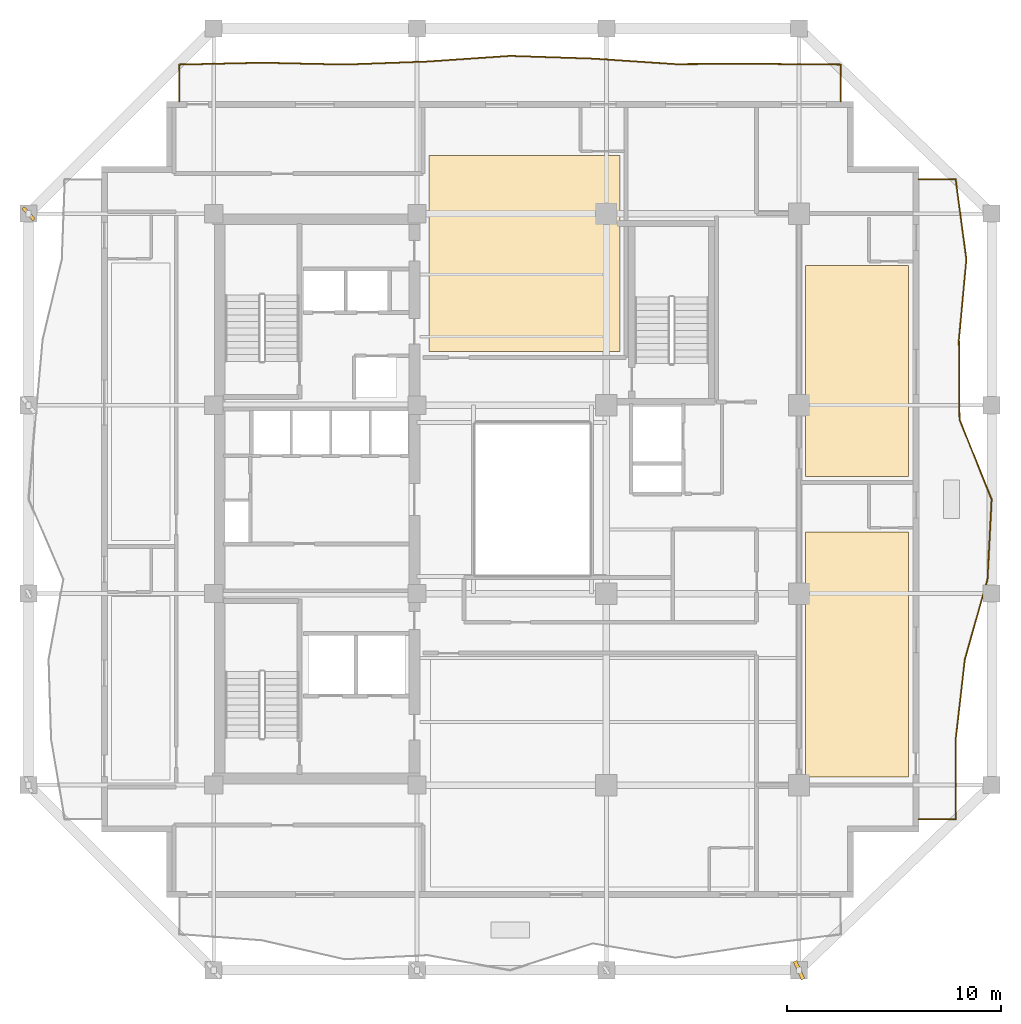
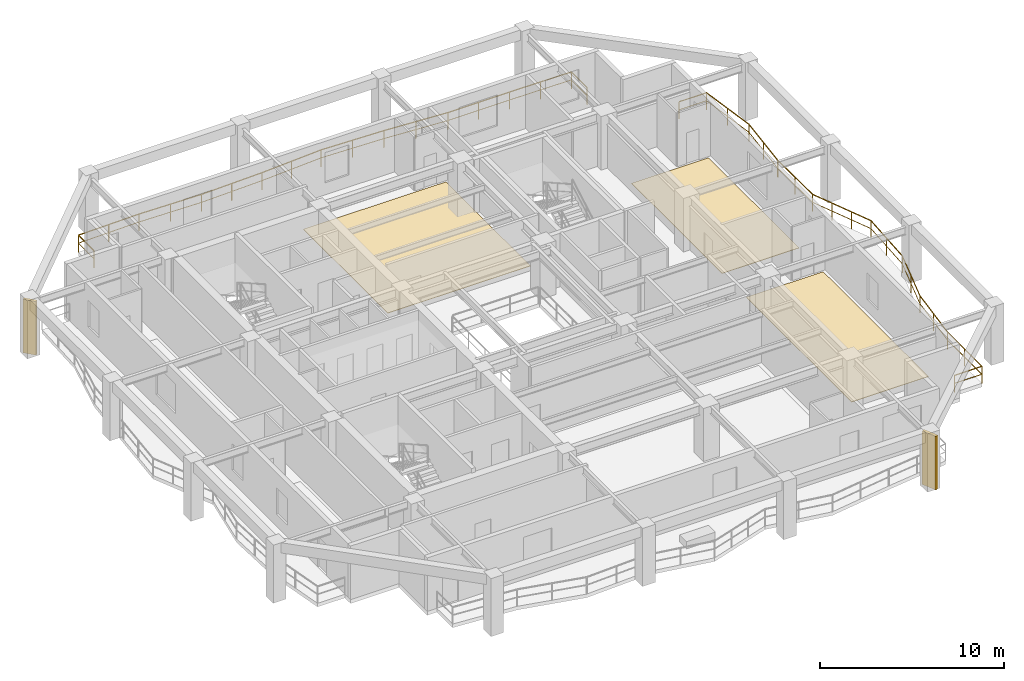
# One storey, part 9 of 10: 3 coverings, 2 railings, 2 shading devices.
"""IFC4 building model written with IfcOpenShell, lengths in metres."""

from ifc_helpers import new_model, si_unit, direction, frame, origin, origin_2d, place, context, subcontext, project, spatial, polyline, rectangle, outline, extrude, material, layer, layer_set, type_object, element, save


model = new_model("IFC4")

# Units and contexts
model_context = context("Model", 3, precision=1e-05, world=origin(), true_north=direction((0.0, 1.0)))
body_context = subcontext(model_context, "Body", "Model", "MODEL_VIEW")
ifc_project = project(units=[si_unit("LENGTHUNIT", "METRE"), si_unit("AREAUNIT", "SQUARE_METRE"), si_unit("VOLUMEUNIT", "CUBIC_METRE"), si_unit("PLANEANGLEUNIT", "RADIAN"), si_unit("MASSUNIT", "GRAM", prefix="KILO")], contexts=[model_context])

# Site, building, storey
site_placement = place(None, origin())
site = spatial("IfcSite", under=ifc_project, at=site_placement, CompositionType="ELEMENT")
building_placement = place(site_placement, origin())
building = spatial("IfcBuilding", under=site, at=building_placement, Name="Kundavana Baori Tower", CompositionType="ELEMENT")
storey_placement = place(building_placement, frame((0.0, 0.0, 150.199951171875)))
storey = spatial("IfcBuildingStorey", under=building, at=storey_placement, Name="L36", CompositionType="ELEMENT", Elevation=150.199951171875)

# Coverings
ifc_material_1 = material(Name="Honed Kota Stone and Terrazzo Flooring", Category="masonry")
ifc_layer = layer(ifc_material_1, 0.030029296875, Name="COV-INT-FLR")
ifc_layer_set = layer_set([ifc_layer], Name="Honed Kota Stone and Terrazzo Flooring")
covering_type = type_object("IfcCoveringType", Name="COV-INT-FLR", PredefinedType="FLOORING", material=ifc_layer_set)
covering_1_placement = place(storey_placement, origin())
element("IfcCovering", 1, at=covering_1_placement, inside=storey, type_object=covering_type, Name="L36 Room Finished Stone Flooring 4", PredefinedType="FLOORING", context=body_context, shape_type="SweptSolid", body=[
    extrude(outline(polyline([(43.10009765625, 15.6298828125), (47.919921875, 15.6298828125), (47.919921875, 27.070068359375), (43.10009765625, 27.070068359375), (43.10009765625, 15.6298828125)])), origin(), (0.0, 0.0, 1.0), 0.030029296875),
])
covering_2_placement = place(storey_placement, origin())
element("IfcCovering", 2, at=covering_2_placement, inside=storey, type_object=covering_type, Name="L36 Room Finished Stone Flooring 5", PredefinedType="FLOORING", context=body_context, shape_type="SweptSolid", body=[
    extrude(outline(polyline([(43.10009765625, 29.679931640625), (47.919921875, 29.679931640625), (47.919921875, 39.52001953125), (43.10009765625, 39.52001953125), (43.10009765625, 29.679931640625)])), origin(), (0.0, 0.0, 1.0), 0.030029296875),
])
covering_3_placement = place(storey_placement, origin())
element("IfcCovering", 3, at=covering_3_placement, inside=storey, type_object=covering_type, Name="L36 Room Finished Stone Flooring 6", PredefinedType="FLOORING", context=body_context, shape_type="SweptSolid", body=[
    extrude(outline(polyline([(25.5, 35.5), (34.43994140625, 35.5), (34.43994140625, 44.669921875), (25.5, 44.669921875), (25.5, 35.5)])), origin(), (0.0, 0.0, 1.0), 0.030029296875),
])

# Railings
ifc_material_2 = material(Name="Architectural Patinated Bronze Metalwork")
railing_type = type_object("IfcRailingType", Name="RL-BAL-1150", PredefinedType="BALUSTRADE", material=ifc_material_2)
railing_1_placement = place(storey_placement, frame((48.39990234375, 43.550048828125, 0.0)))
element("IfcRailing", 4, at=railing_1_placement, inside=storey, type_object=railing_type, Name="L36 Loggia Balcony Balustrade E", PredefinedType="BALUSTRADE", context=body_context, shape_type="SweptSolid", body=[
    extrude(rectangle(XDim=0.048095703125, YDim=0.048095703125, at=origin_2d()), frame((0.0, 0.0, 1.1259765625), z_axis=(1.0, 0.0, 0.0), x_axis=(0.0, 1.0, 0.0)), (0.0, 0.0, 1.0), 1.72021484375),
    extrude(rectangle(XDim=0.03125, YDim=0.03125, at=origin_2d()), frame((0.0, 0.0, 0.597900390625), z_axis=(1.0, 0.0, 0.0), x_axis=(0.0, 1.0, 0.0)), (0.0, 0.0, 1.0), 1.72021484375),
    extrude(rectangle(XDim=0.048095703125, YDim=0.048095703125, at=origin_2d()), frame((1.72021484375, 0.0, 1.1259765625), z_axis=(0.13334232144, -0.991070040569, 0.0), x_axis=(0.991070040569, 0.13334232144, 0.0)), (0.0, 0.0, 1.0), 3.771728515625),
    extrude(rectangle(XDim=0.03125, YDim=0.03125, at=origin_2d()), frame((1.72021484375, 0.0, 0.597900390625), z_axis=(0.13334232144, -0.991070040569, 0.0), x_axis=(0.991070040569, 0.13334232144, 0.0)), (0.0, 0.0, 1.0), 3.771728515625),
    extrude(rectangle(XDim=0.048095703125, YDim=0.048095703125, at=origin_2d()), frame((2.22314453125, -3.738037109375, 1.1259765625), z_axis=(-0.093016290542, -0.995664586944, 0.0), x_axis=(0.995664586944, -0.093016290542, 0.0)), (0.0, 0.0, 1.0), 3.75341796875),
    extrude(rectangle(XDim=0.03125, YDim=0.03125, at=origin_2d()), frame((2.22314453125, -3.738037109375, 0.597900390625), z_axis=(-0.093016290542, -0.995664586944, 0.0), x_axis=(0.995664586944, -0.093016290542, 0.0)), (0.0, 0.0, 1.0), 3.75341796875),
    extrude(rectangle(XDim=0.048095703125, YDim=0.048095703125, at=origin_2d()), frame((1.8740234375, -7.47509765625, 1.1259765625), z_axis=(0.006988269038, -0.99997558175, 0.0), x_axis=(0.99997558175, 0.006988269038, 0.0)), (0.0, 0.0, 1.0), 3.738037109375),
    extrude(rectangle(XDim=0.03125, YDim=0.03125, at=origin_2d()), frame((1.8740234375, -7.47509765625, 0.597900390625), z_axis=(0.006988269038, -0.99997558175, 0.0), x_axis=(0.99997558175, 0.006988269038, 0.0)), (0.0, 0.0, 1.0), 3.738037109375),
    extrude(rectangle(XDim=0.048095703125, YDim=0.048095703125, at=origin_2d()), frame((1.900146484375, -11.213134765625, 1.1259765625), z_axis=(0.37251940051, -0.928024404983, 0.0), x_axis=(0.928024404983, 0.37251940051, 0.0)), (0.0, 0.0, 1.0), 4.026611328125),
    extrude(rectangle(XDim=0.03125, YDim=0.03125, at=origin_2d()), frame((1.900146484375, -11.213134765625, 0.597900390625), z_axis=(0.37251940051, -0.928024404983, 0.0), x_axis=(0.928024404983, 0.37251940051, 0.0)), (0.0, 0.0, 1.0), 4.026611328125),
    extrude(rectangle(XDim=0.048095703125, YDim=0.048095703125, at=origin_2d()), frame((3.400146484375, -14.949951171875, 1.1259765625), z_axis=(-0.051853600954, -0.998654697114, 0.0), x_axis=(0.998654697114, -0.051853600954, 0.0)), (0.0, 0.0, 1.0), 3.7431640625),
    extrude(rectangle(XDim=0.03125, YDim=0.03125, at=origin_2d()), frame((3.400146484375, -14.949951171875, 0.597900390625), z_axis=(-0.051853600954, -0.998654697114, 0.0), x_axis=(0.998654697114, -0.051853600954, 0.0)), (0.0, 0.0, 1.0), 3.7431640625),
    extrude(rectangle(XDim=0.048095703125, YDim=0.048095703125, at=origin_2d()), frame((3.2060546875, -18.68798828125, 1.1259765625), z_axis=(-0.271672209639, -0.962389843312, 0.0), x_axis=(0.962389843312, -0.271672209639, 0.0)), (0.0, 0.0, 1.0), 3.883056640625),
    extrude(rectangle(XDim=0.03125, YDim=0.03125, at=origin_2d()), frame((3.2060546875, -18.68798828125, 0.597900390625), z_axis=(-0.271672209639, -0.962389843312, 0.0), x_axis=(0.962389843312, -0.271672209639, 0.0)), (0.0, 0.0, 1.0), 3.883056640625),
    extrude(rectangle(XDim=0.048095703125, YDim=0.048095703125, at=origin_2d()), frame((2.151123046875, -22.425048828125, 1.1259765625), z_axis=(-0.113749725155, -0.993509436305, 0.0), x_axis=(0.993509436305, -0.113749725155, 0.0)), (0.0, 0.0, 1.0), 3.762451171875),
    extrude(rectangle(XDim=0.03125, YDim=0.03125, at=origin_2d()), frame((2.151123046875, -22.425048828125, 0.597900390625), z_axis=(-0.113749725155, -0.993509436305, 0.0), x_axis=(0.993509436305, -0.113749725155, 0.0)), (0.0, 0.0, 1.0), 3.762451171875),
    extrude(rectangle(XDim=0.048095703125, YDim=0.048095703125, at=origin_2d()), frame((1.72314453125, -26.1630859375, 1.1259765625), z_axis=(-0.000783954812, -0.999999692707, 0.0), x_axis=(0.999999692707, -0.000783954812, 0.0)), (0.0, 0.0, 1.0), 3.737060546875),
    extrude(rectangle(XDim=0.03125, YDim=0.03125, at=origin_2d()), frame((1.72314453125, -26.1630859375, 0.597900390625), z_axis=(-0.000783954812, -0.999999692707, 0.0), x_axis=(0.999999692707, -0.000783954812, 0.0)), (0.0, 0.0, 1.0), 3.737060546875),
    extrude(rectangle(XDim=0.048095703125, YDim=0.048095703125, at=origin_2d()), frame((1.72021484375, -29.900146484375, 1.1259765625), z_axis=(-1.0, 0.0, 0.0), x_axis=(0.0, -1.0, 0.0)), (0.0, 0.0, 1.0), 1.72021484375),
    extrude(rectangle(XDim=0.03125, YDim=0.03125, at=origin_2d()), frame((1.72021484375, -29.900146484375, 0.597900390625), z_axis=(-1.0, 0.0, 0.0), x_axis=(0.0, -1.0, 0.0)), (0.0, 0.0, 1.0), 1.72021484375),
    extrude(rectangle(XDim=0.0419921875, YDim=0.0419921875, at=origin_2d()), origin(), (0.0, 0.0, 1.0), 1.101806640625),
    extrude(rectangle(XDim=0.0419921875, YDim=0.0419921875, at=origin_2d()), frame((1.72021484375, 0.0, 0.0)), (0.0, 0.0, 1.0), 1.101806640625),
    extrude(rectangle(XDim=0.0419921875, YDim=0.0419921875, at=origin_2d()), frame((1.9716796875, -1.869140625, 0.0)), (0.0, 0.0, 1.0), 1.101806640625),
    extrude(rectangle(XDim=0.0419921875, YDim=0.0419921875, at=origin_2d()), frame((2.22314453125, -3.738037109375, 0.0)), (0.0, 0.0, 1.0), 1.101806640625),
    extrude(rectangle(XDim=0.0419921875, YDim=0.0419921875, at=origin_2d()), frame((2.048583984375, -5.6064453125, 0.0)), (0.0, 0.0, 1.0), 1.101806640625),
    extrude(rectangle(XDim=0.0419921875, YDim=0.0419921875, at=origin_2d()), frame((1.8740234375, -7.47509765625, 0.0)), (0.0, 0.0, 1.0), 1.101806640625),
    extrude(rectangle(XDim=0.0419921875, YDim=0.0419921875, at=origin_2d()), frame((1.88720703125, -9.34423828125, 0.0)), (0.0, 0.0, 1.0), 1.101806640625),
    extrude(rectangle(XDim=0.0419921875, YDim=0.0419921875, at=origin_2d()), frame((1.900146484375, -11.213134765625, 0.0)), (0.0, 0.0, 1.0), 1.101806640625),
    extrude(rectangle(XDim=0.0419921875, YDim=0.0419921875, at=origin_2d()), frame((2.400146484375, -12.458740234375, 0.0)), (0.0, 0.0, 1.0), 1.101806640625),
    extrude(rectangle(XDim=0.0419921875, YDim=0.0419921875, at=origin_2d()), frame((2.900146484375, -13.704345703125, 0.0)), (0.0, 0.0, 1.0), 1.101806640625),
    extrude(rectangle(XDim=0.0419921875, YDim=0.0419921875, at=origin_2d()), frame((3.400146484375, -14.949951171875, 0.0)), (0.0, 0.0, 1.0), 1.101806640625),
    extrude(rectangle(XDim=0.0419921875, YDim=0.0419921875, at=origin_2d()), frame((3.30322265625, -16.81884765625, 0.0)), (0.0, 0.0, 1.0), 1.101806640625),
    extrude(rectangle(XDim=0.0419921875, YDim=0.0419921875, at=origin_2d()), frame((3.2060546875, -18.68798828125, 0.0)), (0.0, 0.0, 1.0), 1.101806640625),
    extrude(rectangle(XDim=0.0419921875, YDim=0.0419921875, at=origin_2d()), frame((2.6787109375, -20.556640625, 0.0)), (0.0, 0.0, 1.0), 1.101806640625),
    extrude(rectangle(XDim=0.0419921875, YDim=0.0419921875, at=origin_2d()), frame((2.151123046875, -22.425048828125, 0.0)), (0.0, 0.0, 1.0), 1.101806640625),
    extrude(rectangle(XDim=0.0419921875, YDim=0.0419921875, at=origin_2d()), frame((1.93701171875, -24.2939453125, 0.0)), (0.0, 0.0, 1.0), 1.101806640625),
    extrude(rectangle(XDim=0.0419921875, YDim=0.0419921875, at=origin_2d()), frame((1.72314453125, -26.1630859375, 0.0)), (0.0, 0.0, 1.0), 1.101806640625),
    extrude(rectangle(XDim=0.0419921875, YDim=0.0419921875, at=origin_2d()), frame((1.7216796875, -28.03173828125, 0.0)), (0.0, 0.0, 1.0), 1.101806640625),
    extrude(rectangle(XDim=0.0419921875, YDim=0.0419921875, at=origin_2d()), frame((1.72021484375, -29.900146484375, 0.0)), (0.0, 0.0, 1.0), 1.101806640625),
    extrude(rectangle(XDim=0.0419921875, YDim=0.0419921875, at=origin_2d()), frame((0.0, -29.900146484375, 0.0)), (0.0, 0.0, 1.0), 1.101806640625),
])
railing_2_placement = place(storey_placement, frame((13.85009765625, 47.199951171875, 0.0)))
element("IfcRailing", 5, at=railing_2_placement, inside=storey, type_object=railing_type, Name="L36 Loggia Balcony Balustrade N", PredefinedType="BALUSTRADE", context=body_context, shape_type="SweptSolid", body=[
    extrude(rectangle(XDim=0.048095703125, YDim=0.048095703125, at=origin_2d()), frame((0.0, 0.0, 1.1259765625), z_axis=(0.0, 1.0, 0.0), x_axis=(-1.0, 0.0, 0.0)), (0.0, 0.0, 1.0), 1.719970703125),
    extrude(rectangle(XDim=0.03125, YDim=0.03125, at=origin_2d()), frame((0.0, 0.0, 0.597900390625), z_axis=(0.0, 1.0, 0.0), x_axis=(-1.0, 0.0, 0.0)), (0.0, 0.0, 1.0), 1.719970703125),
    extrude(rectangle(XDim=0.048095703125, YDim=0.048095703125, at=origin_2d()), frame((0.0, 1.719970703125, 1.1259765625), z_axis=(0.999739677531, 0.022816160298, 0.0), x_axis=(-0.022816160298, 0.999739677531, 0.0)), (0.0, 0.0, 1.0), 3.86279296875),
    extrude(rectangle(XDim=0.03125, YDim=0.03125, at=origin_2d()), frame((0.0, 1.719970703125, 0.597900390625), z_axis=(0.999739677531, 0.022816160298, 0.0), x_axis=(-0.022816160298, 0.999739677531, 0.0)), (0.0, 0.0, 1.0), 3.86279296875),
    extrude(rectangle(XDim=0.048095703125, YDim=0.048095703125, at=origin_2d()), frame((3.86181640625, 1.80810546875, 1.1259765625), z_axis=(0.999752647379, -0.022240594823, 0.0), x_axis=(0.022240594823, 0.999752647379, 0.0)), (0.0, 0.0, 1.0), 3.864013671875),
    extrude(rectangle(XDim=0.03125, YDim=0.03125, at=origin_2d()), frame((3.86181640625, 1.80810546875, 0.597900390625), z_axis=(0.999752647379, -0.022240594823, 0.0), x_axis=(0.022240594823, 0.999752647379, 0.0)), (0.0, 0.0, 1.0), 3.864013671875),
    extrude(rectangle(XDim=0.048095703125, YDim=0.048095703125, at=origin_2d()), frame((7.724853515625, 1.72216796875, 1.1259765625), z_axis=(0.999344949622, 0.036189386092, 0.0), x_axis=(-0.036189386092, 0.999344949622, 0.0)), (0.0, 0.0, 1.0), 3.865478515625),
    extrude(rectangle(XDim=0.03125, YDim=0.03125, at=origin_2d()), frame((7.724853515625, 1.72216796875, 0.597900390625), z_axis=(0.999344949622, 0.036189386092, 0.0), x_axis=(-0.036189386092, 0.999344949622, 0.0)), (0.0, 0.0, 1.0), 3.865478515625),
    extrude(rectangle(XDim=0.048095703125, YDim=0.048095703125, at=origin_2d()), frame((11.587890625, 1.862060546875, 1.1259765625), z_axis=(0.997673272344, 0.068176547658, 0.0), x_axis=(-0.068176547658, 0.997673272344, 0.0)), (0.0, 0.0, 1.0), 3.87109375),
    extrude(rectangle(XDim=0.03125, YDim=0.03125, at=origin_2d()), frame((11.587890625, 1.862060546875, 0.597900390625), z_axis=(0.997673272344, 0.068176547658, 0.0), x_axis=(-0.068176547658, 0.997673272344, 0.0)), (0.0, 0.0, 1.0), 3.87109375),
    extrude(rectangle(XDim=0.048095703125, YDim=0.048095703125, at=origin_2d()), frame((15.449951171875, 2.1259765625, 1.1259765625), z_axis=(0.999460430458, -0.032845820883, 0.0), x_axis=(0.032845820883, 0.999460430458, 0.0)), (0.0, 0.0, 1.0), 3.865234375),
    extrude(rectangle(XDim=0.03125, YDim=0.03125, at=origin_2d()), frame((15.449951171875, 2.1259765625, 0.597900390625), z_axis=(0.999460430458, -0.032845820883, 0.0), x_axis=(0.032845820883, 0.999460430458, 0.0)), (0.0, 0.0, 1.0), 3.865234375),
    extrude(rectangle(XDim=0.048095703125, YDim=0.048095703125, at=origin_2d()), frame((19.31298828125, 1.9990234375, 1.1259765625), z_axis=(0.997791572805, -0.066422716283, 0.0), x_axis=(0.066422716283, 0.997791572805, 0.0)), (0.0, 0.0, 1.0), 3.870361328125),
    extrude(rectangle(XDim=0.03125, YDim=0.03125, at=origin_2d()), frame((19.31298828125, 1.9990234375, 0.597900390625), z_axis=(0.997791572805, -0.066422716283, 0.0), x_axis=(0.066422716283, 0.997791572805, 0.0)), (0.0, 0.0, 1.0), 3.870361328125),
    extrude(rectangle(XDim=0.048095703125, YDim=0.048095703125, at=origin_2d()), frame((23.1748046875, 1.741943359375, 1.1259765625), z_axis=(0.999995953921, 0.002844668938, 0.0), x_axis=(-0.002844668938, 0.999995953921, 0.0)), (0.0, 0.0, 1.0), 3.862060546875),
    extrude(rectangle(XDim=0.03125, YDim=0.03125, at=origin_2d()), frame((23.1748046875, 1.741943359375, 0.597900390625), z_axis=(0.999995953921, 0.002844668938, 0.0), x_axis=(-0.002844668938, 0.999995953921, 0.0)), (0.0, 0.0, 1.0), 3.862060546875),
    extrude(rectangle(XDim=0.048095703125, YDim=0.048095703125, at=origin_2d()), frame((27.036865234375, 1.7529296875, 1.1259765625), z_axis=(0.999963605465, -0.008531573452, 0.0), x_axis=(0.008531573452, 0.999963605465, 0.0)), (0.0, 0.0, 1.0), 3.86328125),
    extrude(rectangle(XDim=0.03125, YDim=0.03125, at=origin_2d()), frame((27.036865234375, 1.7529296875, 0.597900390625), z_axis=(0.999963605465, -0.008531573452, 0.0), x_axis=(0.008531573452, 0.999963605465, 0.0)), (0.0, 0.0, 1.0), 3.86328125),
    extrude(rectangle(XDim=0.048095703125, YDim=0.048095703125, at=origin_2d()), frame((30.89990234375, 1.719970703125, 1.1259765625), z_axis=(0.0, -1.0, 0.0), x_axis=(1.0, 0.0, 0.0)), (0.0, 0.0, 1.0), 1.719970703125),
    extrude(rectangle(XDim=0.03125, YDim=0.03125, at=origin_2d()), frame((30.89990234375, 1.719970703125, 0.597900390625), z_axis=(0.0, -1.0, 0.0), x_axis=(1.0, 0.0, 0.0)), (0.0, 0.0, 1.0), 1.719970703125),
    extrude(rectangle(XDim=0.0419921875, YDim=0.0419921875, at=origin_2d()), origin(), (0.0, 0.0, 1.0), 1.101806640625),
    extrude(rectangle(XDim=0.0419921875, YDim=0.0419921875, at=origin_2d()), frame((0.0, 1.719970703125, 0.0)), (0.0, 0.0, 1.0), 1.101806640625),
    extrude(rectangle(XDim=0.0419921875, YDim=0.0419921875, at=origin_2d()), frame((1.930908203125, 1.76416015625, 0.0)), (0.0, 0.0, 1.0), 1.101806640625),
    extrude(rectangle(XDim=0.0419921875, YDim=0.0419921875, at=origin_2d()), frame((3.86181640625, 1.80810546875, 0.0)), (0.0, 0.0, 1.0), 1.101806640625),
    extrude(rectangle(XDim=0.0419921875, YDim=0.0419921875, at=origin_2d()), frame((5.79345703125, 1.76513671875, 0.0)), (0.0, 0.0, 1.0), 1.101806640625),
    extrude(rectangle(XDim=0.0419921875, YDim=0.0419921875, at=origin_2d()), frame((7.724853515625, 1.72216796875, 0.0)), (0.0, 0.0, 1.0), 1.101806640625),
    extrude(rectangle(XDim=0.0419921875, YDim=0.0419921875, at=origin_2d()), frame((9.65625, 1.7919921875, 0.0)), (0.0, 0.0, 1.0), 1.101806640625),
    extrude(rectangle(XDim=0.0419921875, YDim=0.0419921875, at=origin_2d()), frame((11.587890625, 1.862060546875, 0.0)), (0.0, 0.0, 1.0), 1.101806640625),
    extrude(rectangle(XDim=0.0419921875, YDim=0.0419921875, at=origin_2d()), frame((13.51904296875, 1.994140625, 0.0)), (0.0, 0.0, 1.0), 1.101806640625),
    extrude(rectangle(XDim=0.0419921875, YDim=0.0419921875, at=origin_2d()), frame((15.449951171875, 2.1259765625, 0.0)), (0.0, 0.0, 1.0), 1.101806640625),
    extrude(rectangle(XDim=0.0419921875, YDim=0.0419921875, at=origin_2d()), frame((17.38134765625, 2.0625, 0.0)), (0.0, 0.0, 1.0), 1.101806640625),
    extrude(rectangle(XDim=0.0419921875, YDim=0.0419921875, at=origin_2d()), frame((19.31298828125, 1.9990234375, 0.0)), (0.0, 0.0, 1.0), 1.101806640625),
    extrude(rectangle(XDim=0.0419921875, YDim=0.0419921875, at=origin_2d()), frame((21.243896484375, 1.87060546875, 0.0)), (0.0, 0.0, 1.0), 1.101806640625),
    extrude(rectangle(XDim=0.0419921875, YDim=0.0419921875, at=origin_2d()), frame((23.1748046875, 1.741943359375, 0.0)), (0.0, 0.0, 1.0), 1.101806640625),
    extrude(rectangle(XDim=0.0419921875, YDim=0.0419921875, at=origin_2d()), frame((25.10595703125, 1.74755859375, 0.0)), (0.0, 0.0, 1.0), 1.101806640625),
    extrude(rectangle(XDim=0.0419921875, YDim=0.0419921875, at=origin_2d()), frame((27.036865234375, 1.7529296875, 0.0)), (0.0, 0.0, 1.0), 1.101806640625),
    extrude(rectangle(XDim=0.0419921875, YDim=0.0419921875, at=origin_2d()), frame((28.96826171875, 1.736328125, 0.0)), (0.0, 0.0, 1.0), 1.101806640625),
    extrude(rectangle(XDim=0.0419921875, YDim=0.0419921875, at=origin_2d()), frame((30.89990234375, 1.719970703125, 0.0)), (0.0, 0.0, 1.0), 1.101806640625),
    extrude(rectangle(XDim=0.0419921875, YDim=0.0419921875, at=origin_2d()), frame((30.89990234375, 0.0, 0.0)), (0.0, 0.0, 1.0), 1.101806640625),
])

# Shading devices
ifc_material_3 = material(Name="Red-Buff Dholpur Sandstone Cladding on Concrete C40/50", Category="masonry")
shading_device_type_1 = type_object("IfcShadingDeviceType", Name="SHD-FIN-750", PredefinedType="JALOUSIE", material=ifc_material_3)
shading_device_1_placement = place(storey_placement, frame((6.800048828125, 41.949951171875, 0.0), z_axis=(0.0, 0.0, 1.0), x_axis=(0.745010490606, 0.667052748205, 0.0)))
element("IfcShadingDevice", 6, at=shading_device_1_placement, inside=storey, type_object=shading_device_type_1, Name="L36 Sweeping Dholpur Sandstone Facade Fin 8", PredefinedType="JALOUSIE", context=body_context, shape_type="SweptSolid", body=[
    extrude(rectangle(XDim=0.159912109375, YDim=0.75, at=origin_2d()), origin(), (0.0, 0.0, 1.0), 3.550048828125),
])
ifc_material_4 = material(Name="Red-Buff Dholpur Sandstone Cladding on Concrete C40/50", Category="masonry")
shading_device_type_2 = type_object("IfcShadingDeviceType", Name="SHD-FIN-920", PredefinedType="JALOUSIE", material=ifc_material_4)
shading_device_2_placement = place(storey_placement, frame((42.800048828125, 6.60009765625, 0.0), z_axis=(0.0, 0.0, 1.0), x_axis=(0.911976970473, 0.410241398845, 0.0)))
element("IfcShadingDevice", 7, at=shading_device_2_placement, inside=storey, type_object=shading_device_type_2, Name="L36 Sweeping Dholpur Sandstone Facade Fin 4", PredefinedType="JALOUSIE", context=body_context, shape_type="SweptSolid", body=[
    extrude(rectangle(XDim=0.179931640625, YDim=0.919921875, at=origin_2d()), origin(), (0.0, 0.0, 1.0), 3.550048828125),
])

save(model, "model.ifc")
